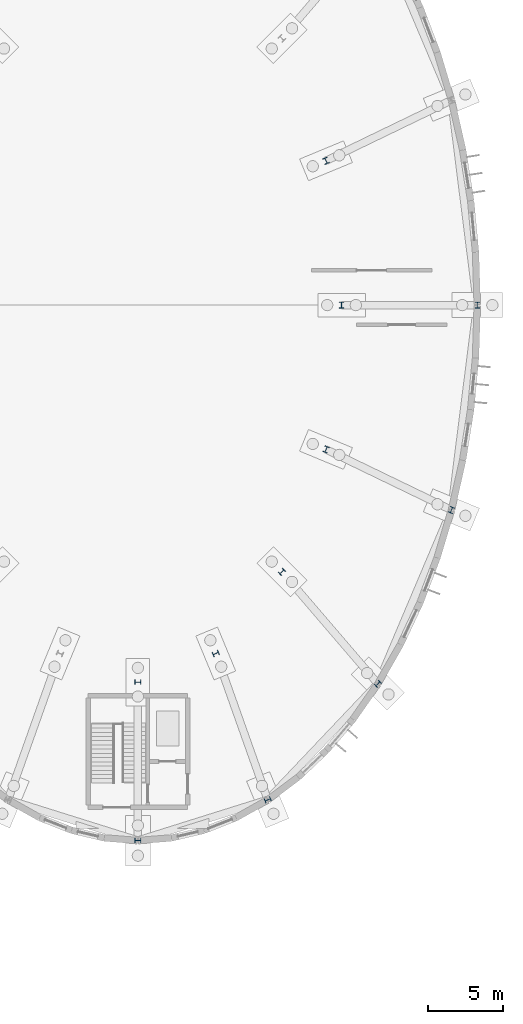
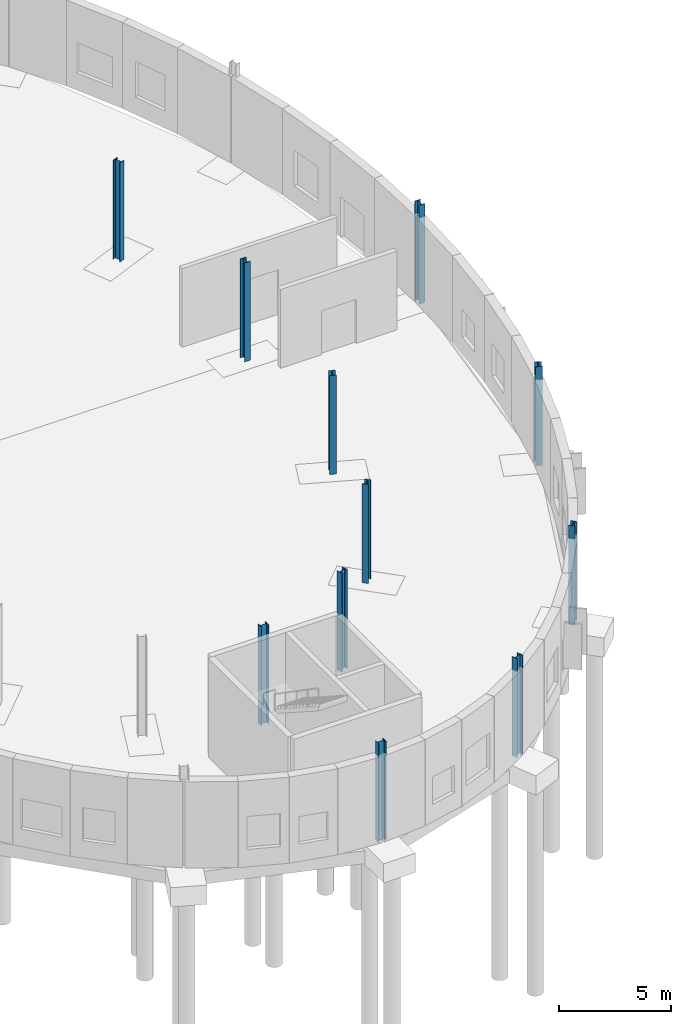
# One storey, part 42 of 118: 11 columns.
"""IFC4 building model written with IfcOpenShell, lengths in metres."""

from ifc_helpers import new_model, si_unit, direction, frame, origin, origin_2d, place, context, subcontext, project, spatial, i_section, extrude, material, material_profile, profile_set, type_object, element, save


model = new_model("IFC4")

# Units and contexts
model_context = context("Model", 3, precision=1e-05, world=origin(), true_north=direction((0.0, 1.0)))
body_context = subcontext(model_context, "Body", "Model", "MODEL_VIEW")
ifc_project = project(units=[si_unit("LENGTHUNIT", "METRE"), si_unit("AREAUNIT", "SQUARE_METRE"), si_unit("VOLUMEUNIT", "CUBIC_METRE"), si_unit("PLANEANGLEUNIT", "RADIAN"), si_unit("MASSUNIT", "GRAM", prefix="KILO")], contexts=[model_context])

# Site, building, storey
site_placement = place(None, origin())
site = spatial("IfcSite", under=ifc_project, at=site_placement, CompositionType="ELEMENT")
building_placement = place(site_placement, origin())
building = spatial("IfcBuilding", under=site, at=building_placement, Name="Kildeholm Park Wholesale Market", CompositionType="ELEMENT")
storey_placement = place(building_placement, origin())
storey = spatial("IfcBuildingStorey", under=building, at=storey_placement, Name="L00", CompositionType="ELEMENT", Elevation=0.0)

# Columns
ifc_material = material(Name="Steel S355", Category="steel")
ifc_material_profile = material_profile(ifc_material, i_section(OverallWidth=0.300048828125, OverallDepth=0.39990234375, WebThickness=0.013427734375, FlangeThickness=0.02392578125, FilletRadius=0.027099609375, at=origin_2d()), Name="HEB 400")
ifc_profile_set = profile_set([ifc_material_profile], Name="Steel S355")
column_type = type_object("IfcColumnType", Name="Column C-S05 HEB 400", PredefinedType="COLUMN", material=ifc_profile_set)
for number, where, z_axis, x_axis, name in (
    (1, (201.5, 94.5, 0.0), (0.0, 0.0, 1.0), (1.0, 0.0, 0.0), "Column V2-IN-00 L00 COL-0217"),
    (2, (210.5, 94.5, 0.0), (0.0, 0.0, 1.0), (1.0, 0.0, 0.0), "Column V2-OT-00 L00 COL-0220"),
    (3, (200.471923828125, 104.06689453125, 0.0), (0.0, 0.0, 1.0), (0.923879532511, 0.382683432365, 0.0), "Column V2-IN-01 L00 COL-0222"),
    (4, (188.0, 69.5, 0.0), (0.0, 0.0, 1.0), (0.0, -1.0, 0.0), "Column V2-IN-12 L00 COL-0277"),
    (5, (188.0, 59.0, 0.0), (0.0, 0.0, 1.0), (0.0, -1.0, 0.0), "Column V2-OT-12 L00 COL-0280"),
    (6, (193.166015625, 71.403076171875, 0.0), (0.0, 0.0, 1.0), (0.382683432365, -0.923879532511, 0.0), "Column V2-IN-13 L00 COL-0282"),
    (7, (196.610107421875, 61.701904296875, 0.0), (0.0, 0.0, 1.0), (0.382683432365, -0.923879532511, 0.0), "Column V2-OT-13 L00 COL-0285"),
    (8, (197.5458984375, 76.822021484375, 0.0), (0.0, 0.0, 1.0), (0.707106781187, -0.707106781187, 0.0), "Column V2-IN-14 L00 COL-0287"),
    (9, (203.909912109375, 69.39794921875, 0.0), (0.0, 0.0, 1.0), (0.707106781187, -0.707106781187, 0.0), "Column V2-OT-14 L00 COL-0290"),
    (10, (200.471923828125, 84.93310546875, 0.0), (0.0, 0.0, 1.0), (0.923879532511, -0.382683432365, 0.0), "Column V2-IN-15 L00 COL-0292"),
    (11, (208.787109375, 80.9150390625, 0.0), (0.0, 0.0, 1.0), (0.923879532511, -0.382683432365, 0.0), "Column V2-OT-15 L00 COL-0295"),
):
    element("IfcColumn", number, at=place(storey_placement, frame(where, z_axis=z_axis, x_axis=x_axis)), inside=storey, type_object=column_type, Name=name, PredefinedType="COLUMN", context=body_context, shape_type="SweptSolid", body=[
        extrude(i_section(OverallWidth=0.300048828125, OverallDepth=0.39990234375, WebThickness=0.013427734375, FlangeThickness=0.02392578125, FilletRadius=0.027099609375, at=origin_2d()), origin(), (0.0, 0.0, 1.0), 5.39990234375),
    ])

save(model, "model.ifc")
